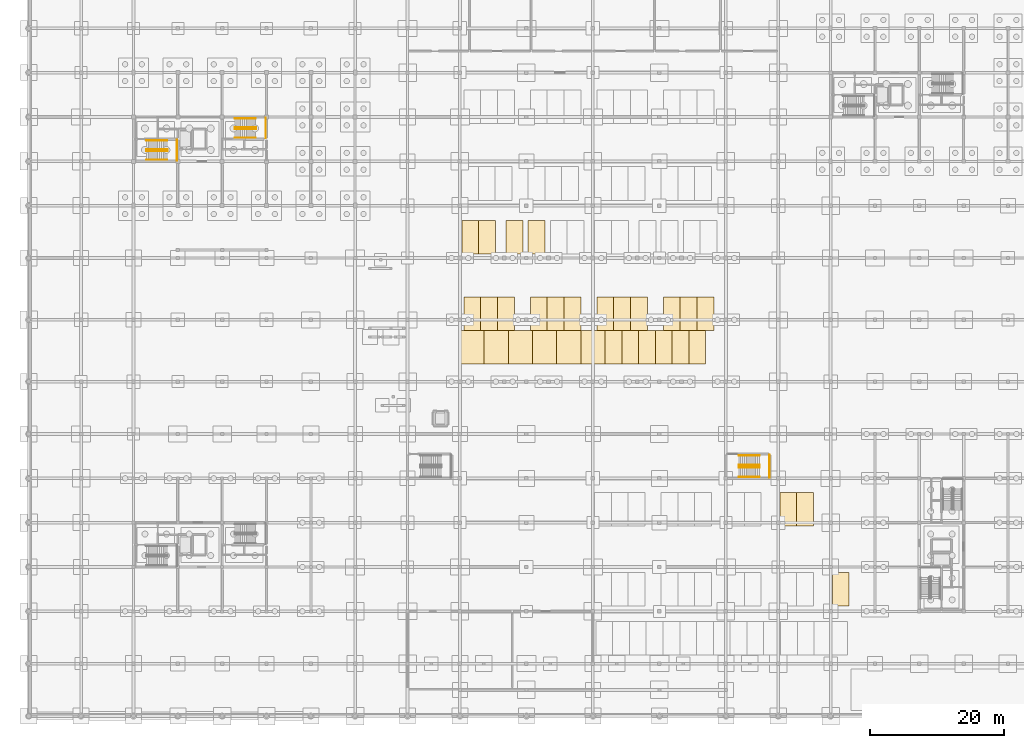
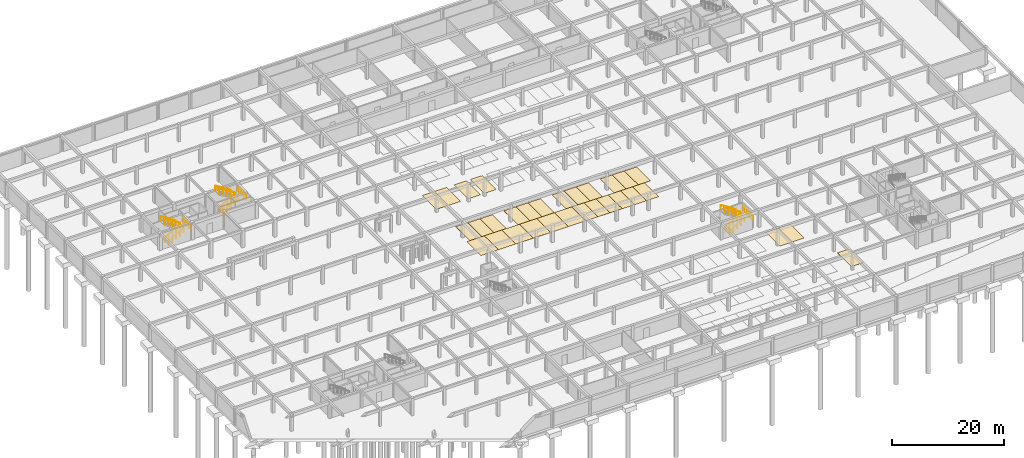
# One storey, part 34 of 37: 31 coverings, 12 railings.
"""IFC4 building model written with IfcOpenShell, lengths in metres."""

from ifc_helpers import new_model, si_unit, direction, frame, origin, origin_2d, place, context, subcontext, project, spatial, polyline, circle, outline, extrude, material, layer, layer_set, type_object, element, save


model = new_model("IFC4")

# Units and contexts
model_context = context("Model", 3, precision=1e-05, world=origin(), true_north=direction((0.0, 1.0)))
body_context = subcontext(model_context, "Body", "Model", "MODEL_VIEW")
ifc_project = project(units=[si_unit("LENGTHUNIT", "METRE"), si_unit("AREAUNIT", "SQUARE_METRE"), si_unit("VOLUMEUNIT", "CUBIC_METRE"), si_unit("PLANEANGLEUNIT", "RADIAN"), si_unit("MASSUNIT", "GRAM", prefix="KILO")], contexts=[model_context])

# Site, building, storey
site_placement = place(None, origin())
site = spatial("IfcSite", under=ifc_project, at=site_placement, CompositionType="ELEMENT")
building_placement = place(site_placement, origin())
building = spatial("IfcBuilding", under=site, at=building_placement, Name="Kernevlak Ridge Housing Community", CompositionType="ELEMENT")
storey_placement = place(building_placement, frame((0.0, 0.0, -3.800048828125)))
storey = spatial("IfcBuildingStorey", under=building, at=storey_placement, Name="B1", CompositionType="ELEMENT", Elevation=-3.800048828125)

# Coverings
ifc_material_1 = material(Name="White road marking paint on concrete", Category="concrete")
ifc_layer_1 = layer(ifc_material_1, 0.010009765625, Name="White road marking paint on concrete")
ifc_layer_set_1 = layer_set([ifc_layer_1], Name="White road marking paint on concrete")
covering_type_1 = type_object("IfcCoveringType", Name="CV-05", PredefinedType="FLOORING", material=ifc_layer_set_1)
covering_1_placement = place(storey_placement, origin())
element("IfcCovering", 1, at=covering_1_placement, inside=storey, type_object=covering_type_1, Name="Parking bay 01", PredefinedType="FLOORING", context=body_context, shape_type="SweptSolid", body=[
    extrude(outline(polyline([(85.800048828125, 52.39990234375), (88.300048828125, 52.39990234375), (88.300048828125, 57.39990234375), (85.800048828125, 57.39990234375), (85.800048828125, 52.39990234375)])), origin(), (0.0, 0.0, 1.0), 0.010009765625),
])
covering_2_placement = place(storey_placement, origin())
element("IfcCovering", 2, at=covering_2_placement, inside=storey, type_object=covering_type_1, Name="Parking bay 02", PredefinedType="FLOORING", context=body_context, shape_type="SweptSolid", body=[
    extrude(outline(polyline([(88.300048828125, 52.39990234375), (90.800048828125, 52.39990234375), (90.800048828125, 57.39990234375), (88.300048828125, 57.39990234375), (88.300048828125, 52.39990234375)])), origin(), (0.0, 0.0, 1.0), 0.010009765625),
])
covering_3_placement = place(storey_placement, origin())
element("IfcCovering", 3, at=covering_3_placement, inside=storey, type_object=covering_type_1, Name="Parking bay 03", PredefinedType="FLOORING", context=body_context, shape_type="SweptSolid", body=[
    extrude(outline(polyline([(90.800048828125, 52.39990234375), (93.300048828125, 52.39990234375), (93.300048828125, 57.39990234375), (90.800048828125, 57.39990234375), (90.800048828125, 52.39990234375)])), origin(), (0.0, 0.0, 1.0), 0.010009765625),
])
covering_4_placement = place(storey_placement, origin())
element("IfcCovering", 4, at=covering_4_placement, inside=storey, type_object=covering_type_1, Name="Parking bay 04", PredefinedType="FLOORING", context=body_context, shape_type="SweptSolid", body=[
    extrude(outline(polyline([(93.300048828125, 52.39990234375), (95.800048828125, 52.39990234375), (95.800048828125, 57.39990234375), (93.300048828125, 57.39990234375), (93.300048828125, 52.39990234375)])), origin(), (0.0, 0.0, 1.0), 0.010009765625),
])
covering_5_placement = place(storey_placement, origin())
element("IfcCovering", 5, at=covering_5_placement, inside=storey, type_object=covering_type_1, Name="Parking bay 05", PredefinedType="FLOORING", context=body_context, shape_type="SweptSolid", body=[
    extrude(outline(polyline([(95.800048828125, 52.39990234375), (98.300048828125, 52.39990234375), (98.300048828125, 57.39990234375), (95.800048828125, 57.39990234375), (95.800048828125, 52.39990234375)])), origin(), (0.0, 0.0, 1.0), 0.010009765625),
])
covering_6_placement = place(storey_placement, origin())
element("IfcCovering", 6, at=covering_6_placement, inside=storey, type_object=covering_type_1, Name="Parking bay 06", PredefinedType="FLOORING", context=body_context, shape_type="SweptSolid", body=[
    extrude(outline(polyline([(98.300048828125, 52.39990234375), (100.800048828125, 52.39990234375), (100.800048828125, 57.39990234375), (98.300048828125, 57.39990234375), (98.300048828125, 52.39990234375)])), origin(), (0.0, 0.0, 1.0), 0.010009765625),
])
covering_7_placement = place(storey_placement, origin())
element("IfcCovering", 7, at=covering_7_placement, inside=storey, type_object=covering_type_1, Name="Parking bay 07", PredefinedType="FLOORING", context=body_context, shape_type="SweptSolid", body=[
    extrude(outline(polyline([(64.800048828125, 57.39990234375), (67.300048828125, 57.39990234375), (67.300048828125, 62.39990234375), (64.800048828125, 62.39990234375), (64.800048828125, 57.39990234375)])), origin(), (0.0, 0.0, 1.0), 0.010009765625),
])
covering_8_placement = place(storey_placement, origin())
element("IfcCovering", 8, at=covering_8_placement, inside=storey, type_object=covering_type_1, Name="Parking bay 08", PredefinedType="FLOORING", context=body_context, shape_type="SweptSolid", body=[
    extrude(outline(polyline([(67.300048828125, 57.39990234375), (69.800048828125, 57.39990234375), (69.800048828125, 62.39990234375), (67.300048828125, 62.39990234375), (67.300048828125, 57.39990234375)])), origin(), (0.0, 0.0, 1.0), 0.010009765625),
])
covering_9_placement = place(storey_placement, origin())
element("IfcCovering", 9, at=covering_9_placement, inside=storey, type_object=covering_type_1, Name="Parking bay 09", PredefinedType="FLOORING", context=body_context, shape_type="SweptSolid", body=[
    extrude(outline(polyline([(69.800048828125, 57.39990234375), (72.300048828125, 57.39990234375), (72.300048828125, 62.39990234375), (69.800048828125, 62.39990234375), (69.800048828125, 57.39990234375)])), origin(), (0.0, 0.0, 1.0), 0.010009765625),
])
covering_10_placement = place(storey_placement, origin())
element("IfcCovering", 10, at=covering_10_placement, inside=storey, type_object=covering_type_1, Name="Parking bay 10", PredefinedType="FLOORING", context=body_context, shape_type="SweptSolid", body=[
    extrude(outline(polyline([(74.699951171875, 57.39990234375), (77.199951171875, 57.39990234375), (77.199951171875, 62.39990234375), (74.699951171875, 62.39990234375), (74.699951171875, 57.39990234375)])), origin(), (0.0, 0.0, 1.0), 0.010009765625),
])
covering_11_placement = place(storey_placement, origin())
element("IfcCovering", 11, at=covering_11_placement, inside=storey, type_object=covering_type_1, Name="Parking bay 11", PredefinedType="FLOORING", context=body_context, shape_type="SweptSolid", body=[
    extrude(outline(polyline([(77.199951171875, 57.39990234375), (79.699951171875, 57.39990234375), (79.699951171875, 62.39990234375), (77.199951171875, 62.39990234375), (77.199951171875, 57.39990234375)])), origin(), (0.0, 0.0, 1.0), 0.010009765625),
])
covering_12_placement = place(storey_placement, origin())
element("IfcCovering", 12, at=covering_12_placement, inside=storey, type_object=covering_type_1, Name="Parking bay 12", PredefinedType="FLOORING", context=body_context, shape_type="SweptSolid", body=[
    extrude(outline(polyline([(79.699951171875, 57.39990234375), (82.199951171875, 57.39990234375), (82.199951171875, 62.39990234375), (79.699951171875, 62.39990234375), (79.699951171875, 57.39990234375)])), origin(), (0.0, 0.0, 1.0), 0.010009765625),
])
covering_13_placement = place(storey_placement, origin())
element("IfcCovering", 13, at=covering_13_placement, inside=storey, type_object=covering_type_1, Name="Parking bay 13", PredefinedType="FLOORING", context=body_context, shape_type="SweptSolid", body=[
    extrude(outline(polyline([(84.60009765625, 57.39990234375), (87.10009765625, 57.39990234375), (87.10009765625, 62.39990234375), (84.60009765625, 62.39990234375), (84.60009765625, 57.39990234375)])), origin(), (0.0, 0.0, 1.0), 0.010009765625),
])
covering_14_placement = place(storey_placement, origin())
element("IfcCovering", 14, at=covering_14_placement, inside=storey, type_object=covering_type_1, Name="Parking bay 14", PredefinedType="FLOORING", context=body_context, shape_type="SweptSolid", body=[
    extrude(outline(polyline([(87.10009765625, 57.39990234375), (89.60009765625, 57.39990234375), (89.60009765625, 62.39990234375), (87.10009765625, 62.39990234375), (87.10009765625, 57.39990234375)])), origin(), (0.0, 0.0, 1.0), 0.010009765625),
])
covering_15_placement = place(storey_placement, origin())
element("IfcCovering", 15, at=covering_15_placement, inside=storey, type_object=covering_type_1, Name="Parking bay 15", PredefinedType="FLOORING", context=body_context, shape_type="SweptSolid", body=[
    extrude(outline(polyline([(89.60009765625, 57.39990234375), (92.10009765625, 57.39990234375), (92.10009765625, 62.39990234375), (89.60009765625, 62.39990234375), (89.60009765625, 57.39990234375)])), origin(), (0.0, 0.0, 1.0), 0.010009765625),
])
covering_16_placement = place(storey_placement, origin())
element("IfcCovering", 16, at=covering_16_placement, inside=storey, type_object=covering_type_1, Name="Parking bay 16", PredefinedType="FLOORING", context=body_context, shape_type="SweptSolid", body=[
    extrude(outline(polyline([(94.5, 57.39990234375), (97.0, 57.39990234375), (97.0, 62.39990234375), (94.5, 62.39990234375), (94.5, 57.39990234375)])), origin(), (0.0, 0.0, 1.0), 0.010009765625),
])
covering_17_placement = place(storey_placement, origin())
element("IfcCovering", 17, at=covering_17_placement, inside=storey, type_object=covering_type_1, Name="Parking bay 17", PredefinedType="FLOORING", context=body_context, shape_type="SweptSolid", body=[
    extrude(outline(polyline([(97.0, 57.39990234375), (99.5, 57.39990234375), (99.5, 62.39990234375), (97.0, 62.39990234375), (97.0, 57.39990234375)])), origin(), (0.0, 0.0, 1.0), 0.010009765625),
])
covering_18_placement = place(storey_placement, origin())
element("IfcCovering", 18, at=covering_18_placement, inside=storey, type_object=covering_type_1, Name="Parking bay 18", PredefinedType="FLOORING", context=body_context, shape_type="SweptSolid", body=[
    extrude(outline(polyline([(99.5, 57.39990234375), (102.0, 57.39990234375), (102.0, 62.39990234375), (99.5, 62.39990234375), (99.5, 57.39990234375)])), origin(), (0.0, 0.0, 1.0), 0.010009765625),
])
covering_19_placement = place(storey_placement, origin())
element("IfcCovering", 19, at=covering_19_placement, inside=storey, type_object=covering_type_1, Name="Parking bay 19", PredefinedType="FLOORING", context=body_context, shape_type="SweptSolid", body=[
    extrude(outline(polyline([(64.47509765625, 68.800048828125), (66.97509765625, 68.800048828125), (66.97509765625, 73.800048828125), (64.47509765625, 73.800048828125), (64.47509765625, 68.800048828125)])), origin(), (0.0, 0.0, 1.0), 0.010009765625),
])
covering_20_placement = place(storey_placement, origin())
element("IfcCovering", 20, at=covering_20_placement, inside=storey, type_object=covering_type_1, Name="Parking bay 20", PredefinedType="FLOORING", context=body_context, shape_type="SweptSolid", body=[
    extrude(outline(polyline([(66.97509765625, 68.800048828125), (69.47509765625, 68.800048828125), (69.47509765625, 73.800048828125), (66.97509765625, 73.800048828125), (66.97509765625, 68.800048828125)])), origin(), (0.0, 0.0, 1.0), 0.010009765625),
])
covering_21_placement = place(storey_placement, origin())
element("IfcCovering", 21, at=covering_21_placement, inside=storey, type_object=covering_type_1, Name="Parking bay 21", PredefinedType="FLOORING", context=body_context, shape_type="SweptSolid", body=[
    extrude(outline(polyline([(71.074951171875, 68.800048828125), (73.574951171875, 68.800048828125), (73.574951171875, 73.800048828125), (71.074951171875, 73.800048828125), (71.074951171875, 68.800048828125)])), origin(), (0.0, 0.0, 1.0), 0.010009765625),
])
covering_22_placement = place(storey_placement, origin())
element("IfcCovering", 22, at=covering_22_placement, inside=storey, type_object=covering_type_1, Name="Parking bay 22", PredefinedType="FLOORING", context=body_context, shape_type="SweptSolid", body=[
    extrude(outline(polyline([(74.35009765625, 68.800048828125), (76.85009765625, 68.800048828125), (76.85009765625, 73.800048828125), (74.35009765625, 73.800048828125), (74.35009765625, 68.800048828125)])), origin(), (0.0, 0.0, 1.0), 0.010009765625),
])
covering_23_placement = place(storey_placement, origin())
element("IfcCovering", 23, at=covering_23_placement, inside=storey, type_object=covering_type_1, Name="Parking bay 80", PredefinedType="FLOORING", context=body_context, shape_type="SweptSolid", body=[
    extrude(outline(polyline([(119.64990234375, 16.39990234375), (122.14990234375, 16.39990234375), (122.14990234375, 21.39990234375), (119.64990234375, 21.39990234375), (119.64990234375, 16.39990234375)])), origin(), (0.0, 0.0, 1.0), 0.010009765625),
])
covering_24_placement = place(storey_placement, origin())
element("IfcCovering", 24, at=covering_24_placement, inside=storey, type_object=covering_type_1, Name="Parking bay 89", PredefinedType="FLOORING", context=body_context, shape_type="SweptSolid", body=[
    extrude(outline(polyline([(111.85009765625, 28.300048828125), (114.35009765625, 28.300048828125), (114.35009765625, 33.300048828125), (111.85009765625, 33.300048828125), (111.85009765625, 28.300048828125)])), origin(), (0.0, 0.0, 1.0), 0.010009765625),
])
covering_25_placement = place(storey_placement, origin())
element("IfcCovering", 25, at=covering_25_placement, inside=storey, type_object=covering_type_1, Name="Parking bay 90", PredefinedType="FLOORING", context=body_context, shape_type="SweptSolid", body=[
    extrude(outline(polyline([(114.35009765625, 28.300048828125), (116.85009765625, 28.300048828125), (116.85009765625, 33.300048828125), (114.35009765625, 33.300048828125), (114.35009765625, 28.300048828125)])), origin(), (0.0, 0.0, 1.0), 0.010009765625),
])
ifc_material_2 = material(Name="Blue road marking paint on concrete", Category="concrete")
ifc_layer_2 = layer(ifc_material_2, 0.010009765625, Name="Blue road marking paint on concrete")
ifc_layer_set_2 = layer_set([ifc_layer_2], Name="Blue road marking paint on concrete")
covering_type_2 = type_object("IfcCoveringType", Name="CV-06", PredefinedType="FLOORING", material=ifc_layer_set_2)
covering_26_placement = place(storey_placement, origin())
element("IfcCovering", 26, at=covering_26_placement, inside=storey, type_object=covering_type_2, Name="Accessible parking bay A1", PredefinedType="FLOORING", context=body_context, shape_type="SweptSolid", body=[
    extrude(outline(polyline([(64.199951171875, 52.39990234375), (67.800048828125, 52.39990234375), (67.800048828125, 57.39990234375), (64.199951171875, 57.39990234375), (64.199951171875, 52.39990234375)])), origin(), (0.0, 0.0, 1.0), 0.010009765625),
])
covering_27_placement = place(storey_placement, origin())
element("IfcCovering", 27, at=covering_27_placement, inside=storey, type_object=covering_type_2, Name="Accessible parking bay A2", PredefinedType="FLOORING", context=body_context, shape_type="SweptSolid", body=[
    extrude(outline(polyline([(67.800048828125, 52.39990234375), (71.39990234375, 52.39990234375), (71.39990234375, 57.39990234375), (67.800048828125, 57.39990234375), (67.800048828125, 52.39990234375)])), origin(), (0.0, 0.0, 1.0), 0.010009765625),
])
covering_28_placement = place(storey_placement, origin())
element("IfcCovering", 28, at=covering_28_placement, inside=storey, type_object=covering_type_2, Name="Accessible parking bay A3", PredefinedType="FLOORING", context=body_context, shape_type="SweptSolid", body=[
    extrude(outline(polyline([(71.39990234375, 52.39990234375), (75.0, 52.39990234375), (75.0, 57.39990234375), (71.39990234375, 57.39990234375), (71.39990234375, 52.39990234375)])), origin(), (0.0, 0.0, 1.0), 0.010009765625),
])
covering_29_placement = place(storey_placement, origin())
element("IfcCovering", 29, at=covering_29_placement, inside=storey, type_object=covering_type_2, Name="Accessible parking bay A4", PredefinedType="FLOORING", context=body_context, shape_type="SweptSolid", body=[
    extrude(outline(polyline([(75.0, 52.39990234375), (78.60009765625, 52.39990234375), (78.60009765625, 57.39990234375), (75.0, 57.39990234375), (75.0, 52.39990234375)])), origin(), (0.0, 0.0, 1.0), 0.010009765625),
])
covering_30_placement = place(storey_placement, origin())
element("IfcCovering", 30, at=covering_30_placement, inside=storey, type_object=covering_type_2, Name="Accessible parking bay A5", PredefinedType="FLOORING", context=body_context, shape_type="SweptSolid", body=[
    extrude(outline(polyline([(78.60009765625, 52.39990234375), (82.199951171875, 52.39990234375), (82.199951171875, 57.39990234375), (78.60009765625, 57.39990234375), (78.60009765625, 52.39990234375)])), origin(), (0.0, 0.0, 1.0), 0.010009765625),
])
covering_31_placement = place(storey_placement, origin())
element("IfcCovering", 31, at=covering_31_placement, inside=storey, type_object=covering_type_2, Name="Accessible parking bay A6", PredefinedType="FLOORING", context=body_context, shape_type="SweptSolid", body=[
    extrude(outline(polyline([(82.199951171875, 52.39990234375), (85.800048828125, 52.39990234375), (85.800048828125, 57.39990234375), (82.199951171875, 57.39990234375), (82.199951171875, 52.39990234375)])), origin(), (0.0, 0.0, 1.0), 0.010009765625),
])

# Railings
ifc_material_3 = material(Name="Steel S355", Category="steel")
railing_type_1 = type_object("IfcRailingType", Name="GR-02", PredefinedType="GUARDRAIL", material=ifc_material_3)
railing_1_placement = place(storey_placement, frame((17.52001953125, 84.1201171875, 0.0)))
element("IfcRailing", 32, at=railing_1_placement, inside=storey, type_object=railing_type_1, Name="Stair ST-A1 B1 inner well guardrail", PredefinedType="GUARDRAIL", context=body_context, shape_type="SweptSolid", body=[
    extrude(circle(Radius=0.02392578125, at=origin_2d()), frame((0.0, 0.0, 1.09619140625), z_axis=(0.854065598125, 0.0, 0.520165314203), x_axis=(0.0, 1.0, 0.0)), (0.0, 0.0, 1.0), 3.653076171875),
    extrude(circle(Radius=0.02392578125, at=origin_2d()), frame((3.119873046875, 0.0, 2.99609375), z_axis=(0.0, 1.0, 0.0), x_axis=(-1.0, 0.0, 0.0)), (0.0, 0.0, 1.0), 0.259765625),
    extrude(circle(Radius=0.02392578125, at=origin_2d()), frame((3.119873046875, 0.259765625, 2.99609375), z_axis=(-0.854095288912, 0.0, 0.520116561415), x_axis=(0.0, -1.0, 0.0)), (0.0, 0.0, 1.0), 3.65283203125),
    extrude(circle(Radius=0.02099609375, at=origin_2d()), origin(), (0.0, 0.0, 1.0), 1.072021484375),
    extrude(circle(Radius=0.02099609375, at=origin_2d()), frame((0.780029296875, 0.0, 0.47509765625)), (0.0, 0.0, 1.0), 1.072021484375),
    extrude(circle(Radius=0.02099609375, at=origin_2d()), frame((1.56005859375, 0.0, 0.9501953125)), (0.0, 0.0, 1.0), 1.072021484375),
    extrude(circle(Radius=0.02099609375, at=origin_2d()), frame((2.33984375, 0.0, 1.425048828125)), (0.0, 0.0, 1.0), 1.072021484375),
    extrude(circle(Radius=0.02099609375, at=origin_2d()), frame((3.119873046875, 0.0, 1.900146484375)), (0.0, 0.0, 1.0), 1.072021484375),
    extrude(circle(Radius=0.02099609375, at=origin_2d()), frame((3.119873046875, 0.259765625, 1.900146484375)), (0.0, 0.0, 1.0), 1.072021484375),
    extrude(circle(Radius=0.02099609375, at=origin_2d()), frame((2.33984375, 0.259765625, 2.375)), (0.0, 0.0, 1.0), 1.072021484375),
    extrude(circle(Radius=0.02099609375, at=origin_2d()), frame((1.56005859375, 0.259765625, 2.85009765625)), (0.0, 0.0, 1.0), 1.072021484375),
    extrude(circle(Radius=0.02099609375, at=origin_2d()), frame((0.780029296875, 0.259765625, 3.3251953125)), (0.0, 0.0, 1.0), 1.072021484375),
    extrude(circle(Radius=0.02099609375, at=origin_2d()), frame((0.0, 0.259765625, 3.800048828125)), (0.0, 0.0, 1.0), 1.072021484375),
])
railing_2_placement = place(storey_placement, frame((22.080078125, 82.719970703125, 1.900146484375)))
element("IfcRailing", 33, at=railing_2_placement, inside=storey, type_object=railing_type_1, Name="Stair ST-A1 B1 half-landing guard", PredefinedType="GUARDRAIL", context=body_context, shape_type="SweptSolid", body=[
    extrude(circle(Radius=0.02392578125, at=origin_2d()), frame((0.0, 0.0, 1.09619140625), z_axis=(0.0, 1.0, 0.0), x_axis=(-1.0, 0.0, 0.0)), (0.0, 0.0, 1.0), 3.06005859375),
    extrude(circle(Radius=0.02099609375, at=origin_2d()), origin(), (0.0, 0.0, 1.0), 1.072021484375),
    extrude(circle(Radius=0.02099609375, at=origin_2d()), frame((0.0, 0.76513671875, 0.0)), (0.0, 0.0, 1.0), 1.072021484375),
    extrude(circle(Radius=0.02099609375, at=origin_2d()), frame((0.0, 1.530029296875, 0.0)), (0.0, 0.0, 1.0), 1.072021484375),
    extrude(circle(Radius=0.02099609375, at=origin_2d()), frame((0.0, 2.294921875, 0.0)), (0.0, 0.0, 1.0), 1.072021484375),
    extrude(circle(Radius=0.02099609375, at=origin_2d()), frame((0.0, 3.06005859375, 0.0)), (0.0, 0.0, 1.0), 1.072021484375),
])
railing_3_placement = place(storey_placement, frame((30.719970703125, 87.419921875, 0.0)))
element("IfcRailing", 34, at=railing_3_placement, inside=storey, type_object=railing_type_1, Name="Stair ST-A2 B1 inner well guardrail", PredefinedType="GUARDRAIL", context=body_context, shape_type="SweptSolid", body=[
    extrude(circle(Radius=0.02392578125, at=origin_2d()), frame((0.0, 0.0, 1.09619140625), z_axis=(0.854083679853, 0.0, 0.520135624437), x_axis=(0.0, 1.0, 0.0)), (0.0, 0.0, 1.0), 3.653076171875),
    extrude(circle(Radius=0.02392578125, at=origin_2d()), frame((3.1201171875, 0.0, 2.99609375), z_axis=(0.0, 1.0, 0.0), x_axis=(-1.0, 0.0, 0.0)), (0.0, 0.0, 1.0), 0.260009765625),
    extrude(circle(Radius=0.02392578125, at=origin_2d()), frame((3.1201171875, 0.260009765625, 2.99609375), z_axis=(-0.85411336788, 0.0, 0.520086872367), x_axis=(0.0, -1.0, 0.0)), (0.0, 0.0, 1.0), 3.653076171875),
    extrude(circle(Radius=0.02099609375, at=origin_2d()), origin(), (0.0, 0.0, 1.0), 1.072021484375),
    extrude(circle(Radius=0.02099609375, at=origin_2d()), frame((0.780029296875, 0.0, 0.47509765625)), (0.0, 0.0, 1.0), 1.072021484375),
    extrude(circle(Radius=0.02099609375, at=origin_2d()), frame((1.56005859375, 0.0, 0.9501953125)), (0.0, 0.0, 1.0), 1.072021484375),
    extrude(circle(Radius=0.02099609375, at=origin_2d()), frame((2.340087890625, 0.0, 1.425048828125)), (0.0, 0.0, 1.0), 1.072021484375),
    extrude(circle(Radius=0.02099609375, at=origin_2d()), frame((3.1201171875, 0.0, 1.900146484375)), (0.0, 0.0, 1.0), 1.072021484375),
    extrude(circle(Radius=0.02099609375, at=origin_2d()), frame((3.1201171875, 0.260009765625, 1.900146484375)), (0.0, 0.0, 1.0), 1.072021484375),
    extrude(circle(Radius=0.02099609375, at=origin_2d()), frame((2.340087890625, 0.260009765625, 2.375)), (0.0, 0.0, 1.0), 1.072021484375),
    extrude(circle(Radius=0.02099609375, at=origin_2d()), frame((1.56005859375, 0.260009765625, 2.85009765625)), (0.0, 0.0, 1.0), 1.072021484375),
    extrude(circle(Radius=0.02099609375, at=origin_2d()), frame((0.780029296875, 0.260009765625, 3.3251953125)), (0.0, 0.0, 1.0), 1.072021484375),
    extrude(circle(Radius=0.02099609375, at=origin_2d()), frame((0.0, 0.260009765625, 3.800048828125)), (0.0, 0.0, 1.0), 1.072021484375),
])
railing_4_placement = place(storey_placement, frame((35.280029296875, 86.02001953125, 1.900146484375)))
element("IfcRailing", 35, at=railing_4_placement, inside=storey, type_object=railing_type_1, Name="Stair ST-A2 B1 half-landing guard", PredefinedType="GUARDRAIL", context=body_context, shape_type="SweptSolid", body=[
    extrude(circle(Radius=0.02392578125, at=origin_2d()), frame((0.0, 0.0, 1.09619140625), z_axis=(0.0, 1.0, 0.0), x_axis=(-1.0, 0.0, 0.0)), (0.0, 0.0, 1.0), 3.06005859375),
    extrude(circle(Radius=0.02099609375, at=origin_2d()), origin(), (0.0, 0.0, 1.0), 1.072021484375),
    extrude(circle(Radius=0.02099609375, at=origin_2d()), frame((0.0, 0.76513671875, 0.0)), (0.0, 0.0, 1.0), 1.072021484375),
    extrude(circle(Radius=0.02099609375, at=origin_2d()), frame((0.0, 1.530029296875, 0.0)), (0.0, 0.0, 1.0), 1.072021484375),
    extrude(circle(Radius=0.02099609375, at=origin_2d()), frame((0.0, 2.294921875, 0.0)), (0.0, 0.0, 1.0), 1.072021484375),
    extrude(circle(Radius=0.02099609375, at=origin_2d()), frame((0.0, 3.06005859375, 0.0)), (0.0, 0.0, 1.0), 1.072021484375),
])
railing_5_placement = place(storey_placement, frame((105.719970703125, 37.02001953125, 0.0)))
element("IfcRailing", 36, at=railing_5_placement, inside=storey, type_object=railing_type_1, Name="Stair ST-P2 B1 inner well guardrail", PredefinedType="GUARDRAIL", context=body_context, shape_type="SweptSolid", body=[
    extrude(circle(Radius=0.02392578125, at=origin_2d()), frame((0.0, 0.0, 1.09619140625), z_axis=(0.854083679853, 0.0, 0.520135624437), x_axis=(0.0, 1.0, 0.0)), (0.0, 0.0, 1.0), 3.653076171875),
    extrude(circle(Radius=0.02392578125, at=origin_2d()), frame((3.1201171875, 0.0, 2.99609375), z_axis=(0.0, 1.0, 0.0), x_axis=(-1.0, 0.0, 0.0)), (0.0, 0.0, 1.0), 0.35986328125),
    extrude(circle(Radius=0.02392578125, at=origin_2d()), frame((3.1201171875, 0.35986328125, 2.99609375), z_axis=(-0.85411336788, 0.0, 0.520086872367), x_axis=(0.0, -1.0, 0.0)), (0.0, 0.0, 1.0), 3.653076171875),
    extrude(circle(Radius=0.02099609375, at=origin_2d()), origin(), (0.0, 0.0, 1.0), 1.072021484375),
    extrude(circle(Radius=0.02099609375, at=origin_2d()), frame((0.780029296875, 0.0, 0.47509765625)), (0.0, 0.0, 1.0), 1.072021484375),
    extrude(circle(Radius=0.02099609375, at=origin_2d()), frame((1.56005859375, 0.0, 0.9501953125)), (0.0, 0.0, 1.0), 1.072021484375),
    extrude(circle(Radius=0.02099609375, at=origin_2d()), frame((2.340087890625, 0.0, 1.425048828125)), (0.0, 0.0, 1.0), 1.072021484375),
    extrude(circle(Radius=0.02099609375, at=origin_2d()), frame((3.1201171875, 0.0, 1.900146484375)), (0.0, 0.0, 1.0), 1.072021484375),
    extrude(circle(Radius=0.02099609375, at=origin_2d()), frame((3.1201171875, 0.35986328125, 1.900146484375)), (0.0, 0.0, 1.0), 1.072021484375),
    extrude(circle(Radius=0.02099609375, at=origin_2d()), frame((2.340087890625, 0.35986328125, 2.375)), (0.0, 0.0, 1.0), 1.072021484375),
    extrude(circle(Radius=0.02099609375, at=origin_2d()), frame((1.56005859375, 0.35986328125, 2.85009765625)), (0.0, 0.0, 1.0), 1.072021484375),
    extrude(circle(Radius=0.02099609375, at=origin_2d()), frame((0.780029296875, 0.35986328125, 3.3251953125)), (0.0, 0.0, 1.0), 1.072021484375),
    extrude(circle(Radius=0.02099609375, at=origin_2d()), frame((0.0, 0.35986328125, 3.800048828125)), (0.0, 0.0, 1.0), 1.072021484375),
])
railing_6_placement = place(storey_placement, frame((110.280029296875, 35.52001953125, 1.900146484375)))
element("IfcRailing", 37, at=railing_6_placement, inside=storey, type_object=railing_type_1, Name="Stair ST-P2 B1 half-landing guard", PredefinedType="GUARDRAIL", context=body_context, shape_type="SweptSolid", body=[
    extrude(circle(Radius=0.02392578125, at=origin_2d()), frame((0.0, 0.0, 1.09619140625), z_axis=(0.0, 1.0, 0.0), x_axis=(-1.0, 0.0, 0.0)), (0.0, 0.0, 1.0), 3.35986328125),
    extrude(circle(Radius=0.02099609375, at=origin_2d()), origin(), (0.0, 0.0, 1.0), 1.072021484375),
    extrude(circle(Radius=0.02099609375, at=origin_2d()), frame((0.0, 0.83984375, 0.0)), (0.0, 0.0, 1.0), 1.072021484375),
    extrude(circle(Radius=0.02099609375, at=origin_2d()), frame((0.0, 1.679931640625, 0.0)), (0.0, 0.0, 1.0), 1.072021484375),
    extrude(circle(Radius=0.02099609375, at=origin_2d()), frame((0.0, 2.52001953125, 0.0)), (0.0, 0.0, 1.0), 1.072021484375),
    extrude(circle(Radius=0.02099609375, at=origin_2d()), frame((0.0, 3.35986328125, 0.0)), (0.0, 0.0, 1.0), 1.072021484375),
])
ifc_material_4 = material(Name="Stainless steel EN 1.4401", Category="steel")
railing_type_2 = type_object("IfcRailingType", Name="HR-01", PredefinedType="HANDRAIL", material=ifc_material_4)
railing_7_placement = place(storey_placement, frame((17.52001953125, 82.820068359375, 0.158447265625)))
element("IfcRailing", 38, at=railing_7_placement, inside=storey, type_object=railing_type_2, Name="Stair ST-A1 B1 flight 1 handrail", PredefinedType="HANDRAIL", context=body_context, shape_type="SweptSolid", body=[
    extrude(circle(Radius=0.02392578125, at=origin_2d()), frame((0.0, 0.0, 0.89599609375), z_axis=(0.870467729004, 0.0, 0.492225489752), x_axis=(0.0, 1.0, 0.0)), (0.0, 0.0, 1.0), 3.538330078125),
    extrude(circle(Radius=0.02099609375, at=origin_2d()), origin(), (0.0, 0.0, 1.0), 0.871826171875),
    extrude(circle(Radius=0.02099609375, at=origin_2d()), frame((0.77001953125, 0.0, 0.435546875)), (0.0, 0.0, 1.0), 0.871826171875),
    extrude(circle(Radius=0.02099609375, at=origin_2d()), frame((1.5400390625, 0.0, 0.870849609375)), (0.0, 0.0, 1.0), 0.871826171875),
    extrude(circle(Radius=0.02099609375, at=origin_2d()), frame((2.31005859375, 0.0, 1.30615234375)), (0.0, 0.0, 1.0), 0.871826171875),
    extrude(circle(Radius=0.02099609375, at=origin_2d()), frame((3.080078125, 0.0, 1.74169921875)), (0.0, 0.0, 1.0), 0.871826171875),
])
railing_8_placement = place(storey_placement, frame((20.60009765625, 85.679931640625, 1.900146484375)))
element("IfcRailing", 39, at=railing_8_placement, inside=storey, type_object=railing_type_2, Name="Stair ST-A1 B1 flight 2 handrail", PredefinedType="HANDRAIL", context=body_context, shape_type="SweptSolid", body=[
    extrude(circle(Radius=0.02392578125, at=origin_2d()), frame((0.0, 0.0, 0.89599609375), z_axis=(-0.851106564228, 0.0, 0.524992967884), x_axis=(0.0, -1.0, 0.0)), (0.0, 0.0, 1.0), 3.618896484375),
    extrude(circle(Radius=0.02099609375, at=origin_2d()), origin(), (0.0, 0.0, 1.0), 0.871826171875),
    extrude(circle(Radius=0.02099609375, at=origin_2d()), frame((-0.77001953125, 0.0, 0.47509765625)), (0.0, 0.0, 1.0), 0.871826171875),
    extrude(circle(Radius=0.02099609375, at=origin_2d()), frame((-1.5400390625, 0.0, 0.949951171875)), (0.0, 0.0, 1.0), 0.871826171875),
    extrude(circle(Radius=0.02099609375, at=origin_2d()), frame((-2.31005859375, 0.0, 1.4248046875)), (0.0, 0.0, 1.0), 0.871826171875),
    extrude(circle(Radius=0.02099609375, at=origin_2d()), frame((-3.080078125, 0.0, 1.89990234375)), (0.0, 0.0, 1.0), 0.871826171875),
])
railing_9_placement = place(storey_placement, frame((30.719970703125, 86.1201171875, 0.158447265625)))
element("IfcRailing", 40, at=railing_9_placement, inside=storey, type_object=railing_type_2, Name="Stair ST-A2 B1 flight 1 handrail", PredefinedType="HANDRAIL", context=body_context, shape_type="SweptSolid", body=[
    extrude(circle(Radius=0.02392578125, at=origin_2d()), frame((0.0, 0.0, 0.89599609375), z_axis=(0.870467729004, 0.0, 0.492225489752), x_axis=(0.0, 1.0, 0.0)), (0.0, 0.0, 1.0), 3.538330078125),
    extrude(circle(Radius=0.02099609375, at=origin_2d()), origin(), (0.0, 0.0, 1.0), 0.871826171875),
    extrude(circle(Radius=0.02099609375, at=origin_2d()), frame((0.77001953125, 0.0, 0.435546875)), (0.0, 0.0, 1.0), 0.871826171875),
    extrude(circle(Radius=0.02099609375, at=origin_2d()), frame((1.5400390625, 0.0, 0.870849609375)), (0.0, 0.0, 1.0), 0.871826171875),
    extrude(circle(Radius=0.02099609375, at=origin_2d()), frame((2.31005859375, 0.0, 1.30615234375)), (0.0, 0.0, 1.0), 0.871826171875),
    extrude(circle(Radius=0.02099609375, at=origin_2d()), frame((3.080078125, 0.0, 1.74169921875)), (0.0, 0.0, 1.0), 0.871826171875),
])
railing_10_placement = place(storey_placement, frame((33.800048828125, 88.97998046875, 1.900146484375)))
element("IfcRailing", 41, at=railing_10_placement, inside=storey, type_object=railing_type_2, Name="Stair ST-A2 B1 flight 2 handrail", PredefinedType="HANDRAIL", context=body_context, shape_type="SweptSolid", body=[
    extrude(circle(Radius=0.02392578125, at=origin_2d()), frame((0.0, 0.0, 0.89599609375), z_axis=(-0.851106564228, 0.0, 0.524992967884), x_axis=(0.0, -1.0, 0.0)), (0.0, 0.0, 1.0), 3.618896484375),
    extrude(circle(Radius=0.02099609375, at=origin_2d()), origin(), (0.0, 0.0, 1.0), 0.871826171875),
    extrude(circle(Radius=0.02099609375, at=origin_2d()), frame((-0.77001953125, 0.0, 0.47509765625)), (0.0, 0.0, 1.0), 0.871826171875),
    extrude(circle(Radius=0.02099609375, at=origin_2d()), frame((-1.5400390625, 0.0, 0.949951171875)), (0.0, 0.0, 1.0), 0.871826171875),
    extrude(circle(Radius=0.02099609375, at=origin_2d()), frame((-2.31005859375, 0.0, 1.4248046875)), (0.0, 0.0, 1.0), 0.871826171875),
    extrude(circle(Radius=0.02099609375, at=origin_2d()), frame((-3.080078125, 0.0, 1.89990234375)), (0.0, 0.0, 1.0), 0.871826171875),
])
railing_11_placement = place(storey_placement, frame((105.719970703125, 35.6201171875, 0.158447265625)))
element("IfcRailing", 42, at=railing_11_placement, inside=storey, type_object=railing_type_2, Name="Stair ST-P2 B1 flight 1 handrail", PredefinedType="HANDRAIL", context=body_context, shape_type="SweptSolid", body=[
    extrude(circle(Radius=0.02392578125, at=origin_2d()), frame((0.0, 0.0, 0.89599609375), z_axis=(0.870467729004, 0.0, 0.492225489752), x_axis=(0.0, 1.0, 0.0)), (0.0, 0.0, 1.0), 3.538330078125),
    extrude(circle(Radius=0.02099609375, at=origin_2d()), origin(), (0.0, 0.0, 1.0), 0.871826171875),
    extrude(circle(Radius=0.02099609375, at=origin_2d()), frame((0.77001953125, 0.0, 0.435546875)), (0.0, 0.0, 1.0), 0.871826171875),
    extrude(circle(Radius=0.02099609375, at=origin_2d()), frame((1.5400390625, 0.0, 0.870849609375)), (0.0, 0.0, 1.0), 0.871826171875),
    extrude(circle(Radius=0.02099609375, at=origin_2d()), frame((2.31005859375, 0.0, 1.30615234375)), (0.0, 0.0, 1.0), 0.871826171875),
    extrude(circle(Radius=0.02099609375, at=origin_2d()), frame((3.080078125, 0.0, 1.74169921875)), (0.0, 0.0, 1.0), 0.871826171875),
])
railing_12_placement = place(storey_placement, frame((108.800048828125, 38.780029296875, 1.900146484375)))
element("IfcRailing", 43, at=railing_12_placement, inside=storey, type_object=railing_type_2, Name="Stair ST-P2 B1 flight 2 handrail", PredefinedType="HANDRAIL", context=body_context, shape_type="SweptSolid", body=[
    extrude(circle(Radius=0.02392578125, at=origin_2d()), frame((0.0, 0.0, 0.89599609375), z_axis=(-0.851106564228, 0.0, 0.524992967884), x_axis=(0.0, -1.0, 0.0)), (0.0, 0.0, 1.0), 3.618896484375),
    extrude(circle(Radius=0.02099609375, at=origin_2d()), origin(), (0.0, 0.0, 1.0), 0.871826171875),
    extrude(circle(Radius=0.02099609375, at=origin_2d()), frame((-0.77001953125, 0.0, 0.47509765625)), (0.0, 0.0, 1.0), 0.871826171875),
    extrude(circle(Radius=0.02099609375, at=origin_2d()), frame((-1.5400390625, 0.0, 0.949951171875)), (0.0, 0.0, 1.0), 0.871826171875),
    extrude(circle(Radius=0.02099609375, at=origin_2d()), frame((-2.31005859375, 0.0, 1.4248046875)), (0.0, 0.0, 1.0), 0.871826171875),
    extrude(circle(Radius=0.02099609375, at=origin_2d()), frame((-3.080078125, 0.0, 1.89990234375)), (0.0, 0.0, 1.0), 0.871826171875),
])

save(model, "model.ifc")
